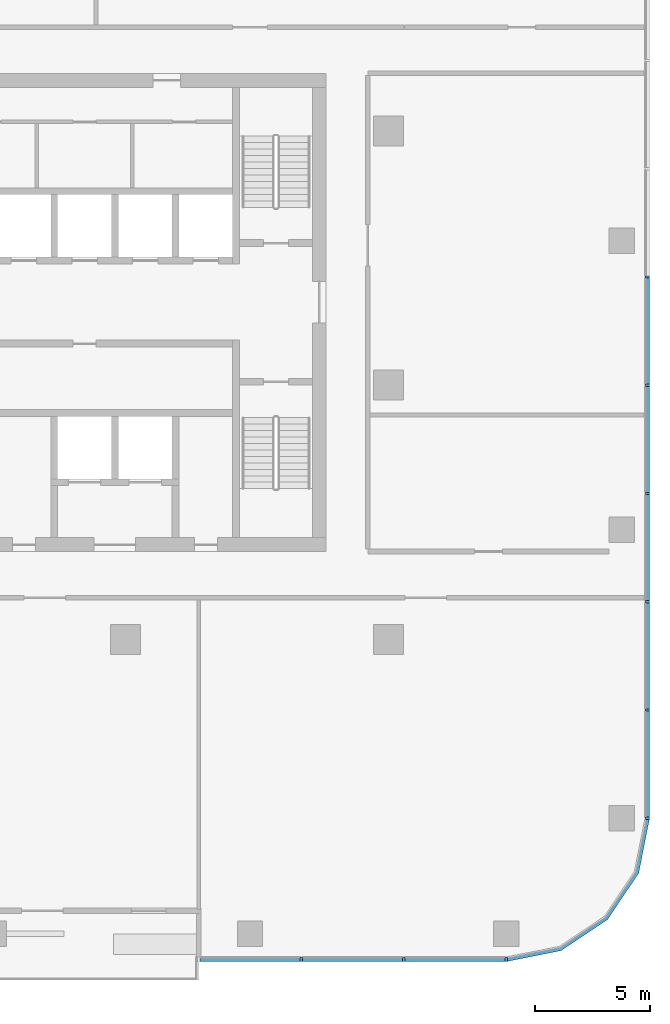
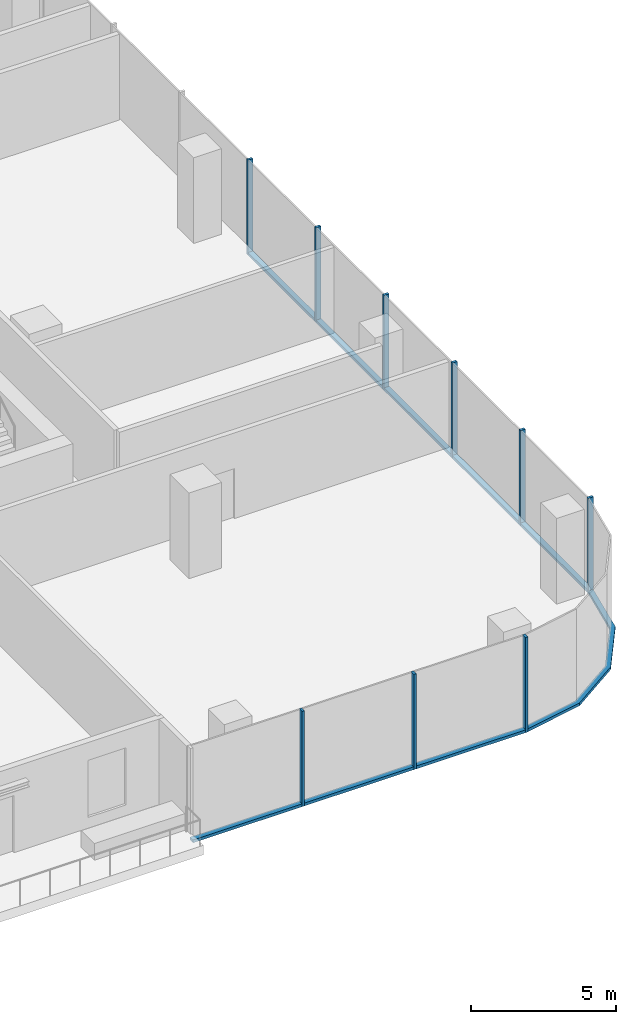
# One storey, part 3 of 14: 18 members, 3 elements without a shape of their own.
"""IFC4 building model written with IfcOpenShell, lengths in metres."""

from ifc_helpers import new_model, si_unit, direction, frame, origin, origin_2d, place, context, subcontext, project, spatial, polyline, rectangle, outline, extrude, material, material_profile, profile_set, type_object, element, aggregate, save


model = new_model("IFC4")

# Units and contexts
model_context = context("Model", 3, precision=1e-05, world=origin(), true_north=direction((0.0, 1.0)))
body_context = subcontext(model_context, "Body", "Model", "MODEL_VIEW")
ifc_project = project(units=[si_unit("LENGTHUNIT", "METRE"), si_unit("AREAUNIT", "SQUARE_METRE"), si_unit("VOLUMEUNIT", "CUBIC_METRE"), si_unit("PLANEANGLEUNIT", "RADIAN"), si_unit("MASSUNIT", "GRAM", prefix="KILO")], contexts=[model_context])

# Site, building, storey
site_placement = place(None, origin())
site = spatial("IfcSite", under=ifc_project, at=site_placement, CompositionType="ELEMENT")
building_placement = place(site_placement, origin())
building = spatial("IfcBuilding", under=site, at=building_placement, Name="Mopane Tessera Tower", CompositionType="ELEMENT")
storey_placement = place(building_placement, frame((0.0, 0.0, 239.0)))
storey = spatial("IfcBuildingStorey", under=building, at=storey_placement, Name="L51", CompositionType="ELEMENT", Elevation=239.0)

# Curtain wall, members
ifc_material_1 = material(Name="Aluminium frame", Category="aluminium")
curtain_wall_type = type_object("IfcCurtainWallType", Name="Unitised curtain wall", PredefinedType="NOTDEFINED", material=ifc_material_1)
curtain_wall_1_placement = place(storey_placement, origin())
curtain_wall_1 = element("IfcCurtainWall", 1, at=curtain_wall_1_placement, inside=storey, type_object=curtain_wall_type, Name="e:cw:L51:S:7", PredefinedType="NOTDEFINED")
ifc_material_2 = material(Name="Aluminium frame", Category="aluminium")
ifc_material_profile_1 = material_profile(ifc_material_2, rectangle(XDim=0.10009765625, YDim=0.199951171875, at=origin_2d()))
ifc_profile_set_1 = profile_set([ifc_material_profile_1], Name="Aluminium frame")
member_type_1 = type_object("IfcMemberType", Name="Aluminium mullion 100 x 200", PredefinedType="MULLION", material=ifc_profile_set_1)
member_1_placement = place(storey_placement, frame((13.320068359375, -24.85009765625, -0.39990234375), z_axis=(0.0, 0.0, 1.0), x_axis=(1.0, 0.0, 0.0)))
member_1 = element("IfcMember", 2, at=member_1_placement, type_object=member_type_1, Name="e:cw:L51:S:7:mu8", PredefinedType="MULLION", context=body_context, shape_type="SweptSolid", body=[
    extrude(rectangle(XDim=0.10009765625, YDim=0.199951171875, at=origin_2d()), origin(), (0.0, 0.0, 1.0), 4.0),
])
member_2_placement = place(storey_placement, frame((17.760009765625, -24.85009765625, -0.39990234375), z_axis=(0.0, 0.0, 1.0), x_axis=(1.0, 0.0, 0.0)))
member_2 = element("IfcMember", 3, at=member_2_placement, type_object=member_type_1, Name="e:cw:L51:S:7:mu9", PredefinedType="MULLION", context=body_context, shape_type="SweptSolid", body=[
    extrude(rectangle(XDim=0.10009765625, YDim=0.199951171875, at=origin_2d()), origin(), (0.0, 0.0, 1.0), 4.0),
])
member_3_placement = place(storey_placement, frame((22.199951171875, -24.85009765625, -0.39990234375), z_axis=(0.0, 0.0, 1.0), x_axis=(1.0, 0.0, 0.0)))
member_3 = element("IfcMember", 4, at=member_3_placement, type_object=member_type_1, Name="e:cw:L51:S:7:mu10", PredefinedType="MULLION", context=body_context, shape_type="SweptSolid", body=[
    extrude(rectangle(XDim=0.10009765625, YDim=0.199951171875, at=origin_2d()), origin(), (0.0, 0.0, 1.0), 4.0),
])

curtain_wall_2_placement = place(storey_placement, origin())
curtain_wall_2 = element("IfcCurtainWall", 5, at=curtain_wall_2_placement, inside=storey, type_object=curtain_wall_type, Name="e:cw:L51:E:0", PredefinedType="NOTDEFINED")
member_4_placement = place(storey_placement, frame((28.300048828125, -18.75, -0.39990234375), z_axis=(0.0, 0.0, 1.0), x_axis=(0.0, 1.0, 0.0)))
member_4 = element("IfcMember", 6, at=member_4_placement, type_object=member_type_1, Name="e:cw:L51:E:0:mu0", PredefinedType="MULLION", context=body_context, shape_type="SweptSolid", body=[
    extrude(rectangle(XDim=0.10009765625, YDim=0.199951171875, at=origin_2d()), origin(), (0.0, 0.0, 1.0), 4.0),
])
member_5_placement = place(storey_placement, frame((28.300048828125, -14.0625, -0.39990234375), z_axis=(0.0, 0.0, 1.0), x_axis=(0.0, 1.0, 0.0)))
member_5 = element("IfcMember", 7, at=member_5_placement, type_object=member_type_1, Name="e:cw:L51:E:0:mu1", PredefinedType="MULLION", context=body_context, shape_type="SweptSolid", body=[
    extrude(rectangle(XDim=0.10009765625, YDim=0.199951171875, at=origin_2d()), origin(), (0.0, 0.0, 1.0), 4.0),
])
member_6_placement = place(storey_placement, frame((28.300048828125, -9.375, -0.39990234375), z_axis=(0.0, 0.0, 1.0), x_axis=(0.0, 1.0, 0.0)))
member_6 = element("IfcMember", 8, at=member_6_placement, type_object=member_type_1, Name="e:cw:L51:E:0:mu2", PredefinedType="MULLION", context=body_context, shape_type="SweptSolid", body=[
    extrude(rectangle(XDim=0.10009765625, YDim=0.199951171875, at=origin_2d()), origin(), (0.0, 0.0, 1.0), 4.0),
])
member_7_placement = place(storey_placement, frame((28.300048828125, -4.6875, -0.39990234375), z_axis=(0.0, 0.0, 1.0), x_axis=(0.0, 1.0, 0.0)))
member_7 = element("IfcMember", 9, at=member_7_placement, type_object=member_type_1, Name="e:cw:L51:E:0:mu3", PredefinedType="MULLION", context=body_context, shape_type="SweptSolid", body=[
    extrude(rectangle(XDim=0.10009765625, YDim=0.199951171875, at=origin_2d()), origin(), (0.0, 0.0, 1.0), 4.0),
])
member_8_placement = place(storey_placement, frame((28.300048828125, 0.0, -0.39990234375), z_axis=(0.0, 0.0, 1.0), x_axis=(0.0, 1.0, 0.0)))
member_8 = element("IfcMember", 10, at=member_8_placement, type_object=member_type_1, Name="e:cw:L51:E:0:mu4", PredefinedType="MULLION", context=body_context, shape_type="SweptSolid", body=[
    extrude(rectangle(XDim=0.10009765625, YDim=0.199951171875, at=origin_2d()), origin(), (0.0, 0.0, 1.0), 4.0),
])
member_9_placement = place(storey_placement, frame((28.300048828125, 4.6875, -0.39990234375), z_axis=(0.0, 0.0, 1.0), x_axis=(0.0, 1.0, 0.0)))
member_9 = element("IfcMember", 11, at=member_9_placement, type_object=member_type_1, Name="e:cw:L51:E:0:mu5", PredefinedType="MULLION", context=body_context, shape_type="SweptSolid", body=[
    extrude(rectangle(XDim=0.10009765625, YDim=0.199951171875, at=origin_2d()), origin(), (0.0, 0.0, 1.0), 4.0),
])

# Member
ifc_material_3 = material(Name="Aluminium frame", Category="aluminium")
ifc_material_profile_2 = material_profile(ifc_material_3, rectangle(XDim=0.199951171875, YDim=0.1201171875, at=origin_2d()))
ifc_profile_set_2 = profile_set([ifc_material_profile_2], Name="Aluminium frame")
member_type_2 = type_object("IfcMemberType", Name="Aluminium transom 200 x 120", PredefinedType="USERDEFINED", material=ifc_profile_set_2)
member_10_placement = place(storey_placement, frame((8.929931640625, -24.85009765625, -0.340087890625), z_axis=(1.0, 0.0, 0.0), x_axis=(0.0, 1.0, 0.0)))
member_10 = element("IfcMember", 12, at=member_10_placement, type_object=member_type_2, Name="e:cw:L51:S:7:tr7", ObjectType="TRANSOM", PredefinedType="USERDEFINED", context=body_context, shape_type="SweptSolid", body=[
    extrude(rectangle(XDim=0.199951171875, YDim=0.1201171875, at=origin_2d()), origin(), (0.0, 0.0, 1.0), 4.340087890625),
])

member_11_placement = place(storey_placement, frame((13.3701171875, -24.85009765625, -0.340087890625), z_axis=(1.0, 0.0, 0.0), x_axis=(0.0, 1.0, 0.0)))
member_11 = element("IfcMember", 13, at=member_11_placement, type_object=member_type_2, Name="e:cw:L51:S:7:tr8", ObjectType="TRANSOM", PredefinedType="USERDEFINED", context=body_context, shape_type="SweptSolid", body=[
    extrude(rectangle(XDim=0.199951171875, YDim=0.1201171875, at=origin_2d()), origin(), (0.0, 0.0, 1.0), 4.33984375),
])

member_12_placement = place(storey_placement, frame((17.81005859375, -24.85009765625, -0.340087890625), z_axis=(1.0, 0.0, 0.0), x_axis=(0.0, 1.0, 0.0)))
member_12 = element("IfcMember", 14, at=member_12_placement, type_object=member_type_2, Name="e:cw:L51:S:7:tr9", ObjectType="TRANSOM", PredefinedType="USERDEFINED", context=body_context, shape_type="SweptSolid", body=[
    extrude(rectangle(XDim=0.199951171875, YDim=0.1201171875, at=origin_2d()), origin(), (0.0, 0.0, 1.0), 4.33984375),
])

aggregate(curtain_wall_1, [member_1, member_2, member_3, member_10, member_11, member_12])

# Curtain wall, member
curtain_wall_3_placement = place(storey_placement, origin())
curtain_wall_3 = element("IfcCurtainWall", 15, at=curtain_wall_3_placement, inside=storey, type_object=curtain_wall_type, Name="e:cw:L51:CS", PredefinedType="NOTDEFINED")
member_13_placement = place(storey_placement, frame((0.0, 0.0, -0.39990234375)))
member_13 = element("IfcMember", 16, at=member_13_placement, type_object=member_type_2, Name="e:cw:L51:CS:tr", ObjectType="TRANSOM", PredefinedType="USERDEFINED", context=body_context, shape_type="SweptSolid", body=[
    extrude(outline(polyline([(22.199951171875, -24.75), (24.49609375, -24.293212890625), (26.442626953125, -22.99267578125), (27.7431640625, -21.046142578125), (28.199951171875, -18.75), (28.39990234375, -18.75), (27.927978515625, -21.12255859375), (26.583984375, -23.134033203125), (24.57275390625, -24.47802734375), (22.199951171875, -24.949951171875), (22.199951171875, -24.75)])), origin(), (0.0, 0.0, 1.0), 0.119873046875),
])
aggregate(curtain_wall_3, [member_13])

# Member
member_14_placement = place(storey_placement, frame((28.300048828125, -18.699951171875, -0.340087890625), z_axis=(0.0, 1.0, 0.0), x_axis=(-1.0, 0.0, 0.0)))
member_14 = element("IfcMember", 17, at=member_14_placement, type_object=member_type_2, Name="e:cw:L51:E:0:tr0", ObjectType="TRANSOM", PredefinedType="USERDEFINED", context=body_context, shape_type="SweptSolid", body=[
    extrude(rectangle(XDim=0.199951171875, YDim=0.1201171875, at=origin_2d()), origin(), (0.0, 0.0, 1.0), 4.58740234375),
])

member_15_placement = place(storey_placement, frame((28.300048828125, -14.012451171875, -0.340087890625), z_axis=(0.0, 1.0, 0.0), x_axis=(-1.0, 0.0, 0.0)))
member_15 = element("IfcMember", 18, at=member_15_placement, type_object=member_type_2, Name="e:cw:L51:E:0:tr1", ObjectType="TRANSOM", PredefinedType="USERDEFINED", context=body_context, shape_type="SweptSolid", body=[
    extrude(rectangle(XDim=0.199951171875, YDim=0.1201171875, at=origin_2d()), origin(), (0.0, 0.0, 1.0), 4.58740234375),
])

member_16_placement = place(storey_placement, frame((28.300048828125, -9.324951171875, -0.340087890625), z_axis=(0.0, 1.0, 0.0), x_axis=(-1.0, 0.0, 0.0)))
member_16 = element("IfcMember", 19, at=member_16_placement, type_object=member_type_2, Name="e:cw:L51:E:0:tr2", ObjectType="TRANSOM", PredefinedType="USERDEFINED", context=body_context, shape_type="SweptSolid", body=[
    extrude(rectangle(XDim=0.199951171875, YDim=0.1201171875, at=origin_2d()), origin(), (0.0, 0.0, 1.0), 4.58740234375),
])

member_17_placement = place(storey_placement, frame((28.300048828125, -4.637451171875, -0.340087890625), z_axis=(0.0, 1.0, 0.0), x_axis=(-1.0, 0.0, 0.0)))
member_17 = element("IfcMember", 20, at=member_17_placement, type_object=member_type_2, Name="e:cw:L51:E:0:tr3", ObjectType="TRANSOM", PredefinedType="USERDEFINED", context=body_context, shape_type="SweptSolid", body=[
    extrude(rectangle(XDim=0.199951171875, YDim=0.1201171875, at=origin_2d()), origin(), (0.0, 0.0, 1.0), 4.58740234375),
])

member_18_placement = place(storey_placement, frame((28.300048828125, 0.050048828125, -0.340087890625), z_axis=(0.0, 1.0, 0.0), x_axis=(-1.0, 0.0, 0.0)))
member_18 = element("IfcMember", 21, at=member_18_placement, type_object=member_type_2, Name="e:cw:L51:E:0:tr4", ObjectType="TRANSOM", PredefinedType="USERDEFINED", context=body_context, shape_type="SweptSolid", body=[
    extrude(rectangle(XDim=0.199951171875, YDim=0.1201171875, at=origin_2d()), origin(), (0.0, 0.0, 1.0), 4.58740234375),
])

aggregate(curtain_wall_2, [member_4, member_5, member_6, member_7, member_8, member_9, member_14, member_15, member_16, member_17, member_18])

save(model, "model.ifc")
